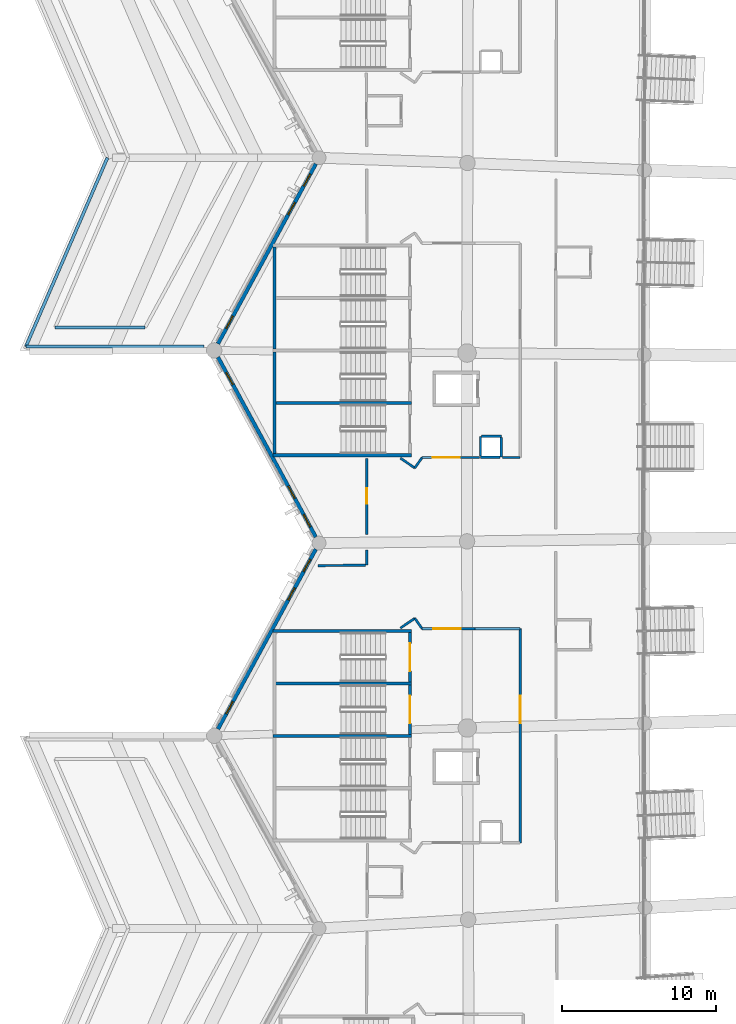
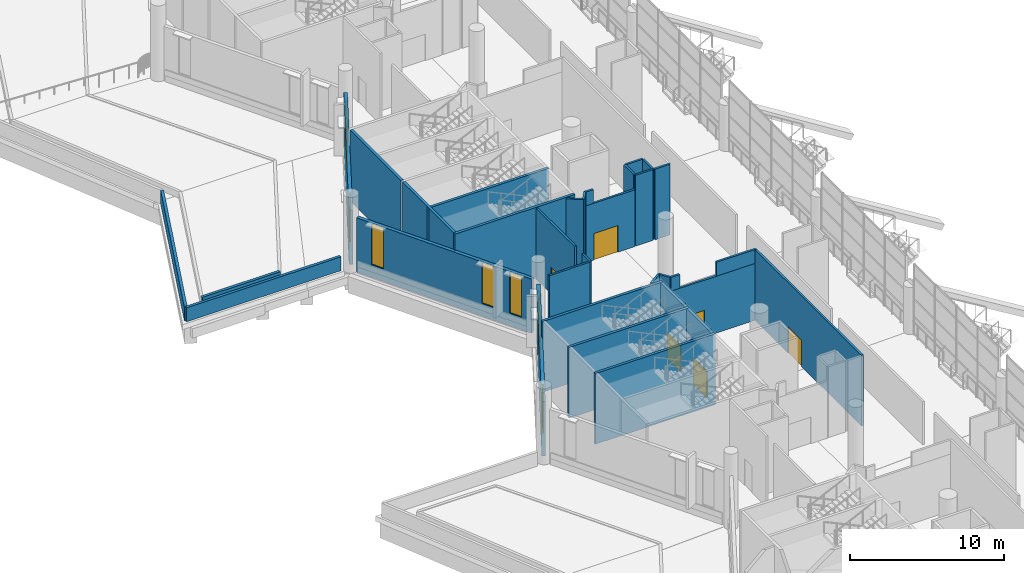
# One storey, part 49 of 173: 33 walls, 9 windows, 6 doors, 15 openings.
"""IFC4 building model written with IfcOpenShell, lengths in metres."""

from ifc_helpers import new_model, si_unit, direction, frame, frame_2d, origin, place, context, subcontext, project, spatial, rectangle, extrude, material, layer, layer_set, type_object, element, fill, save


model = new_model("IFC4")

# Units and contexts
model_context = context("Model", 3, precision=1e-05, world=origin(), true_north=direction((0.0, 1.0)))
body_context = subcontext(model_context, "Body", "Model", "MODEL_VIEW")
ifc_project = project(units=[si_unit("LENGTHUNIT", "METRE"), si_unit("AREAUNIT", "SQUARE_METRE"), si_unit("VOLUMEUNIT", "CUBIC_METRE"), si_unit("PLANEANGLEUNIT", "RADIAN"), si_unit("MASSUNIT", "GRAM", prefix="KILO")], contexts=[model_context])

# Site, building, storey
site_placement = place(None, origin())
site = spatial("IfcSite", under=ifc_project, at=site_placement, CompositionType="ELEMENT")
building_placement = place(site_placement, origin())
building = spatial("IfcBuilding", under=site, at=building_placement, Name="Meseta Stadium", CompositionType="ELEMENT")
storey_placement = place(building_placement, frame((0.0, 0.0, 18.0)))
storey = spatial("IfcBuildingStorey", under=building, at=storey_placement, Name="L03", CompositionType="ELEMENT", Elevation=18.0)

# Walls
ifc_material_1 = material(Name="Concrete C40/50", Category="concrete")
ifc_layer_1 = layer(ifc_material_1, 0.199951171875)
ifc_layer_set_1 = layer_set([ifc_layer_1], Name="Core divider wall 200")
wall_type_1 = type_object("IfcWallType", Name="Core divider wall 200", PredefinedType="SHEAR", material=ifc_layer_set_1)
for number, where, z_axis, x_axis, name in (
    (1, (-97.60009765625, 2.85009765625, 0.0), (0.0, 0.0, 1.0), (1.0, 0.0, 0.0), "Core 17 L03 stair B divider wall"),
    (2, (-97.60009765625, -15.35009765625, 0.0), (0.0, 0.0, 1.0), (1.0, 0.0, 0.0), "Core 18 L03 stair A divider wall"),
):
    element("IfcWall", number, at=place(storey_placement, frame(where, z_axis=z_axis, x_axis=x_axis)), inside=storey, type_object=wall_type_1, Name=name, PredefinedType="SHEAR", context=body_context, shape_type="SweptSolid", body=[
        extrude(rectangle(XDim=9.0, YDim=0.199951171875, at=frame_2d((4.5, 0.0))), origin(), (0.0, 0.0, 1.0), 5.60009765625),
    ])
ifc_material_2 = material(Name="Concrete C40/50", Category="concrete")
ifc_layer_2 = layer(ifc_material_2, 0.199951171875)
ifc_layer_set_2 = layer_set([ifc_layer_2], Name="Core shaft wall 200")
wall_type_2 = type_object("IfcWallType", Name="Core shaft wall 200", PredefinedType="SHEAR", material=ifc_layer_set_2)
wall_1_placement = place(storey_placement, frame((-97.60009765625, -0.550048828125, 0.0), z_axis=(0.0, 0.0, 1.0), x_axis=(1.0, 0.0, 0.0)))
element("IfcWall", 3, at=wall_1_placement, inside=storey, type_object=wall_type_2, Name="Core 17 L03 stair wall B-side", PredefinedType="SHEAR", context=body_context, shape_type="SweptSolid", body=[
    extrude(rectangle(XDim=9.0, YDim=0.199951171875, at=frame_2d((4.5, 0.0))), origin(), (0.0, 0.0, 1.0), 5.60009765625),
])
for number, where, z_axis, x_axis, name in (
    (4, (-97.5, 12.949951171875, 0.0), (0.0, 0.0, 1.0), (0.0, -1.0, 0.0), "Core 17 L03 stair A outer end wall"),
    (5, (-97.5, 6.14990234375, 0.0), (0.0, 0.0, 1.0), (0.0, -1.0, 0.0), "Core 17 L03 stair B outer end wall"),
):
    element("IfcWall", number, at=place(storey_placement, frame(where, z_axis=z_axis, x_axis=x_axis)), inside=storey, type_object=wall_type_2, Name=name, PredefinedType="SHEAR", context=body_context, shape_type="SweptSolid", body=[
        extrude(rectangle(XDim=6.599853515625, YDim=0.199951171875, at=frame_2d((3.2998046875, 0.0))), origin(), (0.0, 0.0, 1.0), 5.60009765625),
    ])
for number, where, z_axis, x_axis, name in (
    (6, (-97.60009765625, -11.949951171875, 0.0), (0.0, 0.0, 1.0), (1.0, 0.0, 0.0), "Core 18 L03 stair wall A-side"),
    (7, (-97.60009765625, -18.75, 0.0), (0.0, 0.0, 1.0), (1.0, 0.0, 0.0), "Core 18 L03 stair wall shared"),
):
    element("IfcWall", number, at=place(storey_placement, frame(where, z_axis=z_axis, x_axis=x_axis)), inside=storey, type_object=wall_type_2, Name=name, PredefinedType="SHEAR", context=body_context, shape_type="SweptSolid", body=[
        extrude(rectangle(XDim=9.0, YDim=0.199951171875, at=frame_2d((4.5, 0.0))), origin(), (0.0, 0.0, 1.0), 5.60009765625),
    ])

# Wall, opening, door
wall_2_placement = place(storey_placement, frame((-88.699951171875, -12.050048828125, 0.0), z_axis=(0.0, 0.0, 1.0), x_axis=(0.0, -1.0, 0.0)))
wall_2 = element("IfcWall", 8, at=wall_2_placement, inside=storey, type_object=wall_type_2, Name="Core 18 L03 stair A1 inner end wall", PredefinedType="SHEAR", context=body_context, shape_type="SweptSolid", body=[
    extrude(rectangle(XDim=3.199951171875, YDim=0.199951171875, at=frame_2d((1.60009765625, 0.0))), origin(), (0.0, 0.0, 1.0), 5.60009765625),
])
opening_1_placement = place(wall_2_placement, frame((0.699951171875, 0.0, 0.0)))
opening_1 = element("IfcOpeningElement", 9, at=opening_1_placement, cuts=wall_2, Name="Opening D1282", PredefinedType="OPENING", context=body_context, shape_type="SweptSolid", body=[
    extrude(rectangle(XDim=1.800048828125, YDim=2.10009765625, at=frame_2d((0.89990234375, 1.050048828125))), frame((0.0, 0.10986328125, 0.0), z_axis=(0.0, -1.0, 0.0), x_axis=(1.0, 0.0, 0.0)), (0.0, 0.0, 1.0), 0.219970703125),
])
ifc_material_3 = material(Name="Steel", Category="steel")
door_type_1 = type_object("IfcDoorType", Name="Stair door 1800x2100", OperationType="DOUBLE_DOOR_SINGLE_SWING", PredefinedType="DOOR", material=ifc_material_3)
door_1_placement = place(opening_1_placement, origin())
door_1 = element("IfcDoor", 10, at=door_1_placement, inside=storey, type_object=door_type_1, Name="Stair A1 door 18 L03", OperationType="DOUBLE_DOOR_SINGLE_SWING", OverallHeight=2.10009765625, OverallWidth=1.800048828125, PredefinedType="DOOR", context=body_context, shape_type="SweptSolid", body=[
    extrude(rectangle(XDim=1.800048828125, YDim=2.10009765625, at=frame_2d((0.89990234375, 1.050048828125))), frame((0.0, 0.02490234375, 0.0), z_axis=(0.0, -1.0, 0.0), x_axis=(1.0, 0.0, 0.0)), (0.0, 0.0, 1.0), 0.050048828125),
])
fill(opening_1, door_1)

wall_3_placement = place(storey_placement, frame((-88.699951171875, -15.449951171875, 0.0), z_axis=(0.0, 0.0, 1.0), x_axis=(0.0, -1.0, 0.0)))
wall_3 = element("IfcWall", 11, at=wall_3_placement, inside=storey, type_object=wall_type_2, Name="Core 18 L03 stair A2 inner end wall", PredefinedType="SHEAR", context=body_context, shape_type="SweptSolid", body=[
    extrude(rectangle(XDim=3.199951171875, YDim=0.199951171875, at=frame_2d((1.60009765625, 0.0))), origin(), (0.0, 0.0, 1.0), 5.60009765625),
])
opening_2_placement = place(wall_3_placement, frame((0.699951171875, 0.0, 0.0)))
opening_2 = element("IfcOpeningElement", 12, at=opening_2_placement, cuts=wall_3, Name="Opening D1281", PredefinedType="OPENING", context=body_context, shape_type="SweptSolid", body=[
    extrude(rectangle(XDim=1.800048828125, YDim=2.10009765625, at=frame_2d((0.89990234375, 1.050048828125))), frame((0.0, 0.10986328125, 0.0), z_axis=(0.0, -1.0, 0.0), x_axis=(1.0, 0.0, 0.0)), (0.0, 0.0, 1.0), 0.219970703125),
])
door_2_placement = place(opening_2_placement, origin())
door_2 = element("IfcDoor", 13, at=door_2_placement, inside=storey, type_object=door_type_1, Name="Stair A2 door 18 L03", OperationType="DOUBLE_DOOR_SINGLE_SWING", OverallHeight=2.10009765625, OverallWidth=1.800048828125, PredefinedType="DOOR", context=body_context, shape_type="SweptSolid", body=[
    extrude(rectangle(XDim=1.800048828125, YDim=2.10009765625, at=frame_2d((0.89990234375, 1.050048828125))), frame((0.0, 0.02490234375, 0.0), z_axis=(0.0, -1.0, 0.0), x_axis=(1.0, 0.0, 0.0)), (0.0, 0.0, 1.0), 0.050048828125),
])
fill(opening_2, door_2)

ifc_material_4 = material(Name="Masonry blockwork", Category="masonry")
ifc_layer_3 = layer(ifc_material_4, 0.14990234375)
ifc_layer_set_3 = layer_set([ifc_layer_3], Name="Partition 150")
wall_type_3 = type_object("IfcWallType", Name="Partition 150", PredefinedType="PARTITIONING", material=ifc_layer_set_3)
wall_4_placement = place(storey_placement, frame((-91.51171875, -0.75, 0.0), z_axis=(0.0, 0.0, 1.0), x_axis=(0.000937252943, -0.999999560778, 0.0)))
wall_4 = element("IfcWall", 14, at=wall_4_placement, inside=storey, type_object=wall_type_3, Name="Partition L03 L03-cell16-2-0w", PredefinedType="PARTITIONING", context=body_context, shape_type="SweptSolid", body=[
    extrude(rectangle(XDim=4.94921875, YDim=0.14990234375, at=frame_2d((2.474609375, 0.0))), origin(), (0.0, 0.0, 1.0), 5.60009765625),
])
opening_3_placement = place(wall_4_placement, frame((1.949951171875, 0.0, 0.0)))
opening_3 = element("IfcOpeningElement", 15, at=opening_3_placement, cuts=wall_4, Name="Opening D1275", PredefinedType="OPENING", context=body_context, shape_type="SweptSolid", body=[
    extrude(rectangle(XDim=1.0, YDim=2.10009765625, at=frame_2d((0.5, 1.050048828125))), frame((0.0, 0.0849609375, 0.0), z_axis=(0.0, -1.0, 0.0), x_axis=(1.0, 0.0, 0.0)), (0.0, 0.0, 1.0), 0.169921875),
])
ifc_material_5 = material(Name="Timber", Category="wood")
door_type_2 = type_object("IfcDoorType", Name="Room door 1000x2100", OperationType="NOTDEFINED", PredefinedType="DOOR", material=ifc_material_5)
door_3_placement = place(opening_3_placement, origin())
door_3 = element("IfcDoor", 16, at=door_3_placement, inside=storey, type_object=door_type_2, Name="Room door L03 L03-cell16-2-0w", OperationType="SINGLE_SWING_LEFT", OverallHeight=2.10009765625, OverallWidth=1.0, PredefinedType="DOOR", context=body_context, shape_type="SweptSolid", body=[
    extrude(rectangle(XDim=1.0, YDim=2.10009765625, at=frame_2d((0.5, 1.050048828125))), frame((0.0, 0.02490234375, 0.0), z_axis=(0.0, -1.0, 0.0), x_axis=(1.0, 0.0, 0.0)), (0.0, 0.0, 1.0), 0.050048828125),
])
fill(opening_3, door_3)

# Walls
wall_5_placement = place(storey_placement, frame((-91.506103515625, -6.68896484375, 0.0), z_axis=(0.0, 0.0, 1.0), x_axis=(0.000986436018, -0.999999513472, 0.0)))
element("IfcWall", 17, at=wall_5_placement, inside=storey, type_object=wall_type_3, Name="Partition L03 L03-cell16-2-0w", PredefinedType="PARTITIONING", context=body_context, shape_type="SweptSolid", body=[
    extrude(rectangle(XDim=0.989990234375, YDim=0.14990234375, at=frame_2d((0.4951171875, 0.0))), origin(), (0.0, 0.0, 1.0), 5.60009765625),
])
wall_6_placement = place(storey_placement, frame((-91.580078125, -7.6796875, 0.0), z_axis=(0.0, 0.0, 1.0), x_axis=(-0.999940293703, -0.010927443818, 0.0)))
element("IfcWall", 18, at=wall_6_placement, inside=storey, type_object=wall_type_3, Name="Partition L03 L03-cell16-2-0w", PredefinedType="PARTITIONING", context=body_context, shape_type="SweptSolid", body=[
    extrude(rectangle(XDim=3.083251953125, YDim=0.14990234375, at=frame_2d((1.54150390625, 0.0))), origin(), (0.0, 0.0, 1.0), 5.60009765625),
])
wall_7_placement = place(storey_placement, frame((-84.125, 0.675048828125, 0.0), z_axis=(0.0, 0.0, 1.0), x_axis=(0.0, -1.0, 0.0)))
element("IfcWall", 19, at=wall_7_placement, inside=storey, type_object=wall_type_3, Name="Pressurisation shaft wall L03 core 17", PredefinedType="PARTITIONING", context=body_context, shape_type="SweptSolid", body=[
    extrude(rectangle(XDim=1.275146484375, YDim=0.14990234375, at=frame_2d((0.6376953125, 0.0))), origin(), (0.0, 0.0, 1.0), 5.60009765625),
])
wall_8_placement = place(storey_placement, frame((-84.125, -0.675048828125, 0.0), z_axis=(0.0, 0.0, 1.0), x_axis=(1.0, 0.0, 0.0)))
element("IfcWall", 20, at=wall_8_placement, inside=storey, type_object=wall_type_3, Name="Pressurisation shaft wall L03 core 17", PredefinedType="PARTITIONING", context=body_context, shape_type="SweptSolid", body=[
    extrude(rectangle(XDim=1.27490234375, YDim=0.14990234375, at=frame_2d((0.637451171875, 0.0))), origin(), (0.0, 0.0, 1.0), 5.60009765625),
])
for number, where, z_axis, x_axis, name in (
    (21, (-82.77490234375, -0.675048828125, 0.0), (0.0, 0.0, 1.0), (0.0, 1.0, 0.0), "Pressurisation shaft wall L03 core 17"),
    (22, (-82.77490234375, 0.675048828125, 0.0), (0.0, 0.0, 1.0), (-1.0, 0.0, 0.0), "Pressurisation shaft wall L03 core 17"),
):
    element("IfcWall", number, at=place(storey_placement, frame(where, z_axis=z_axis, x_axis=x_axis)), inside=storey, type_object=wall_type_3, Name=name, PredefinedType="PARTITIONING", context=body_context, shape_type="SweptSolid", body=[
        extrude(rectangle(XDim=1.275146484375, YDim=0.14990234375, at=frame_2d((0.6376953125, 0.0))), origin(), (0.0, 0.0, 1.0), 5.60009765625),
    ])
wall_9_placement = place(storey_placement, frame((-89.31982421875, -0.739501953125, 0.0), z_axis=(0.0, 0.0, 1.0), x_axis=(0.826749248939, -0.562570599462, 0.0)))
element("IfcWall", 23, at=wall_9_placement, inside=storey, type_object=wall_type_3, Name="Stair vestibule wall L03 core 17", PredefinedType="PARTITIONING", context=body_context, shape_type="SweptSolid", body=[
    extrude(rectangle(XDim=1.12744140625, YDim=0.14990234375, at=frame_2d((0.563720703125, 0.0))), origin(), (0.0, 0.0, 1.0), 5.60009765625),
])
wall_10_placement = place(storey_placement, frame((-88.3876953125, -1.373779296875, 0.0), z_axis=(0.0, 0.0, 1.0), x_axis=(0.5761634622, 0.817334487726, 0.0)))
element("IfcWall", 24, at=wall_10_placement, inside=storey, type_object=wall_type_3, Name="Stair vestibule wall L03 core 17", PredefinedType="PARTITIONING", context=body_context, shape_type="SweptSolid", body=[
    extrude(rectangle(XDim=0.830078125, YDim=0.14990234375, at=frame_2d((0.4150390625, 0.0))), origin(), (0.0, 0.0, 1.0), 5.60009765625),
])

# Wall, opening, door
wall_11_placement = place(storey_placement, frame((-87.909423828125, -0.6953125, 0.0), z_axis=(0.0, 0.0, 1.0), x_axis=(0.999999997827, 6.5919578e-05, 0.0)))
wall_11 = element("IfcWall", 25, at=wall_11_placement, inside=storey, type_object=wall_type_3, Name="Stair vestibule wall L03 core 17", PredefinedType="PARTITIONING", context=body_context, shape_type="SweptSolid", body=[
    extrude(rectangle(XDim=3.70361328125, YDim=0.14990234375, at=frame_2d((1.851806640625, 0.0))), origin(), (0.0, 0.0, 1.0), 4.5),
])
opening_4_placement = place(wall_11_placement, frame((0.64990234375, 0.0, 0.0)))
opening_4 = element("IfcOpeningElement", 26, at=opening_4_placement, cuts=wall_11, Name="Opening D1300", PredefinedType="OPENING", context=body_context, shape_type="SweptSolid", body=[
    extrude(rectangle(XDim=1.800048828125, YDim=2.10009765625, at=frame_2d((0.89990234375, 1.050048828125))), frame((0.0, 0.0849609375, 0.0), z_axis=(0.0, -1.0, 0.0), x_axis=(1.0, 0.0, 0.0)), (0.0, 0.0, 1.0), 0.169921875),
])
ifc_material_6 = material(Name="Steel", Category="steel")
door_type_3 = type_object("IfcDoorType", Name="Fire double door 1800x2100 EI2 60", OperationType="DOUBLE_DOOR_SINGLE_SWING", PredefinedType="DOOR", material=ifc_material_6)
door_4_placement = place(opening_4_placement, origin())
door_4 = element("IfcDoor", 27, at=door_4_placement, inside=storey, type_object=door_type_3, Name="Stair vestibule door L03 core 17", OperationType="DOUBLE_DOOR_SINGLE_SWING", OverallHeight=2.10009765625, OverallWidth=1.800048828125, PredefinedType="DOOR", context=body_context, shape_type="SweptSolid", body=[
    extrude(rectangle(XDim=1.800048828125, YDim=2.10009765625, at=frame_2d((0.89990234375, 1.050048828125))), frame((0.0, 0.02490234375, 0.0), z_axis=(0.0, -1.0, 0.0), x_axis=(1.0, 0.0, 0.0)), (0.0, 0.0, 1.0), 0.050048828125),
])
fill(opening_4, door_4)

# Walls
wall_12_placement = place(storey_placement, frame((-87.909423828125, -0.6953125, 4.5), z_axis=(0.0, 0.0, 1.0), x_axis=(1.0, 0.0, 0.0)))
element("IfcWall", 28, at=wall_12_placement, inside=storey, type_object=wall_type_3, Name="Stair vestibule wall L03 core 17", PredefinedType="PARTITIONING", context=body_context, shape_type="SweptSolid", body=[
    extrude(rectangle(XDim=0.599853515625, YDim=0.14990234375, at=frame_2d((0.2998046875, 0.0))), origin(), (0.0, 0.0, 1.0), 1.10009765625),
])
wall_13_placement = place(storey_placement, frame((-82.68994140625, -0.695068359375, 0.0), z_axis=(0.0, 0.0, 1.0), x_axis=(1.0, 0.0, 0.0)))
element("IfcWall", 29, at=wall_13_placement, inside=storey, type_object=wall_type_3, Name="Stair vestibule wall L03 core 17", PredefinedType="PARTITIONING", context=body_context, shape_type="SweptSolid", body=[
    extrude(rectangle(XDim=1.135009765625, YDim=0.14990234375, at=frame_2d((0.5673828125, 0.0))), origin(), (0.0, 0.0, 1.0), 5.60009765625),
])

# Wall, opening, door
wall_14_placement = place(storey_placement, frame((-81.554931640625, -25.695068359375, 0.0), z_axis=(0.0, 0.0, 1.0), x_axis=(0.0, 1.0, 0.0)))
wall_14 = element("IfcWall", 30, at=wall_14_placement, inside=storey, type_object=wall_type_3, Name="Stair vestibule wall L03 core 18", PredefinedType="PARTITIONING", context=body_context, shape_type="SweptSolid", body=[
    extrude(rectangle(XDim=13.89013671875, YDim=0.14990234375, at=frame_2d((6.945068359375, 0.0))), origin(), (0.0, 0.0, 1.0), 5.60009765625),
])
opening_5_placement = place(wall_14_placement, frame((7.75, 0.0, 0.0)))
opening_5 = element("IfcOpeningElement", 31, at=opening_5_placement, cuts=wall_14, Name="Opening D1317", PredefinedType="OPENING", context=body_context, shape_type="SweptSolid", body=[
    extrude(rectangle(XDim=1.800048828125, YDim=2.10009765625, at=frame_2d((0.89990234375, 1.050048828125))), frame((0.0, 0.0849609375, 0.0), z_axis=(0.0, -1.0, 0.0), x_axis=(1.0, 0.0, 0.0)), (0.0, 0.0, 1.0), 0.169921875),
])
door_5_placement = place(opening_5_placement, origin())
door_5 = element("IfcDoor", 32, at=door_5_placement, inside=storey, type_object=door_type_3, Name="Stair vestibule door L03 core 18", OperationType="DOUBLE_DOOR_SINGLE_SWING", OverallHeight=2.10009765625, OverallWidth=1.800048828125, PredefinedType="DOOR", context=body_context, shape_type="SweptSolid", body=[
    extrude(rectangle(XDim=1.800048828125, YDim=2.10009765625, at=frame_2d((0.89990234375, 1.050048828125))), frame((0.0, 0.02490234375, 0.0), z_axis=(0.0, -1.0, 0.0), x_axis=(1.0, 0.0, 0.0)), (0.0, 0.0, 1.0), 0.050048828125),
])
fill(opening_5, door_5)

wall_15_placement = place(storey_placement, frame((-81.554931640625, -11.804931640625, 0.0), z_axis=(0.0, 0.0, 1.0), x_axis=(-1.0, 0.0, 0.0)))
wall_15 = element("IfcWall", 33, at=wall_15_placement, inside=storey, type_object=wall_type_3, Name="Stair vestibule wall L03 core 18", PredefinedType="PARTITIONING", context=body_context, shape_type="SweptSolid", body=[
    extrude(rectangle(XDim=6.354248046875, YDim=0.14990234375, at=frame_2d((3.17724609375, 0.0))), origin(), (0.0, 0.0, 1.0), 4.5),
])
opening_6_placement = place(wall_15_placement, frame((3.85009765625, 0.0, 0.0)))
opening_6 = element("IfcOpeningElement", 34, at=opening_6_placement, cuts=wall_15, Name="Opening D1303", PredefinedType="OPENING", context=body_context, shape_type="SweptSolid", body=[
    extrude(rectangle(XDim=1.800048828125, YDim=2.10009765625, at=frame_2d((0.89990234375, 1.050048828125))), frame((0.0, 0.0849609375, 0.0), z_axis=(0.0, -1.0, 0.0), x_axis=(1.0, 0.0, 0.0)), (0.0, 0.0, 1.0), 0.169921875),
])
door_6_placement = place(opening_6_placement, origin())
door_6 = element("IfcDoor", 35, at=door_6_placement, inside=storey, type_object=door_type_3, Name="Stair vestibule door L03 core 18", OperationType="DOUBLE_DOOR_SINGLE_SWING", OverallHeight=2.10009765625, OverallWidth=1.800048828125, PredefinedType="DOOR", context=body_context, shape_type="SweptSolid", body=[
    extrude(rectangle(XDim=1.800048828125, YDim=2.10009765625, at=frame_2d((0.89990234375, 1.050048828125))), frame((0.0, 0.02490234375, 0.0), z_axis=(0.0, -1.0, 0.0), x_axis=(1.0, 0.0, 0.0)), (0.0, 0.0, 1.0), 0.050048828125),
])
fill(opening_6, door_6)

# Walls
wall_16_placement = place(storey_placement, frame((-81.554931640625, -11.804931640625, 4.5), z_axis=(0.0, 0.0, 1.0), x_axis=(-1.0, 0.0, 0.0)))
element("IfcWall", 36, at=wall_16_placement, inside=storey, type_object=wall_type_3, Name="Stair vestibule wall L03 core 18", PredefinedType="PARTITIONING", context=body_context, shape_type="SweptSolid", body=[
    extrude(rectangle(XDim=2.932861328125, YDim=0.14990234375, at=frame_2d((1.46630859375, 0.0))), origin(), (0.0, 0.0, 1.0), 1.10009765625),
])
wall_17_placement = place(storey_placement, frame((-87.2548828125, -11.804931640625, 4.5), z_axis=(0.0, 0.0, 1.0), x_axis=(-1.0, 0.0, 0.0)))
element("IfcWall", 37, at=wall_17_placement, inside=storey, type_object=wall_type_3, Name="Stair vestibule wall L03 core 18", PredefinedType="PARTITIONING", context=body_context, shape_type="SweptSolid", body=[
    extrude(rectangle(XDim=0.654296875, YDim=0.14990234375, at=frame_2d((0.3271484375, 0.0))), origin(), (0.0, 0.0, 1.0), 1.10009765625),
])
wall_18_placement = place(storey_placement, frame((-87.9091796875, -11.804931640625, 0.0), z_axis=(0.0, 0.0, 1.0), x_axis=(-0.575573582652, 0.81774999294, 0.0)))
element("IfcWall", 38, at=wall_18_placement, inside=storey, type_object=wall_type_3, Name="Stair vestibule wall L03 core 18", PredefinedType="PARTITIONING", context=body_context, shape_type="SweptSolid", body=[
    extrude(rectangle(XDim=0.82958984375, YDim=0.14990234375, at=frame_2d((0.414794921875, 0.0))), origin(), (0.0, 0.0, 1.0), 5.60009765625),
])
wall_19_placement = place(storey_placement, frame((-88.38671875, -11.12646484375, 0.0), z_axis=(0.0, 0.0, 1.0), x_axis=(-0.827055308354, -0.562120553728, 0.0)))
element("IfcWall", 39, at=wall_19_placement, inside=storey, type_object=wall_type_3, Name="Stair vestibule wall L03 core 18", PredefinedType="PARTITIONING", context=body_context, shape_type="SweptSolid", body=[
    extrude(rectangle(XDim=1.1279296875, YDim=0.14990234375, at=frame_2d((0.56396484375, 0.0))), origin(), (0.0, 0.0, 1.0), 5.60009765625),
])
ifc_material_7 = material(Name="Precast concrete C40/50", Category="concrete")
ifc_layer_4 = layer(ifc_material_7, 0.199951171875)
ifc_layer_set_4 = layer_set([ifc_layer_4], Name="Planter kerb 200")
wall_type_4 = type_object("IfcWallType", Name="Planter kerb 200", PredefinedType="USERDEFINED", material=ifc_layer_set_4)
wall_20_placement = place(storey_placement, frame((-105.87744140625, 7.75, 0.0), z_axis=(0.0, 0.0, 1.0), x_axis=(-1.0, 0.0, 0.0)))
element("IfcWall", 40, at=wall_20_placement, inside=storey, type_object=wall_type_4, Name="Planter kerb 4.1.11", ObjectType="PLANTER", PredefinedType="USERDEFINED", context=body_context, shape_type="SweptSolid", body=[
    extrude(rectangle(XDim=5.840576171875, YDim=0.199951171875, at=frame_2d((2.92041015625, 0.0))), origin(), (0.0, 0.0, 1.0), 0.5),
])

# Wall, openings, windows
ifc_material_8 = material(Name="White precast concrete C40/50", Category="concrete")
ifc_layer_5 = layer(ifc_material_8, 0.25)
ifc_layer_set_5 = layer_set([ifc_layer_5], Name="Pleated panel wall 250")
wall_type_5 = type_object("IfcWallType", Name="Pleated panel wall 250", PredefinedType="SOLIDWALL", material=ifc_layer_set_5)
wall_21_placement = place(storey_placement, frame((-101.1611328125, 6.68896484375, 0.0), z_axis=(0.0, 0.0, 1.0), x_axis=(0.477867771117, 0.878431780691, 0.0)))
wall_21 = element("IfcWall", 41, at=wall_21_placement, inside=storey, type_object=wall_type_5, Name="Pleated facade panel L03 F31", PredefinedType="SOLIDWALL", context=body_context, shape_type="SweptSolid", body=[
    extrude(rectangle(XDim=13.2802734375, YDim=0.25, at=frame_2d((6.64013671875, 0.0))), origin(), (0.0, 0.0, 1.0), 4.300048828125),
])
opening_7_placement = place(wall_21_placement, frame((11.630126953125, 0.0, 1.0)))
opening_7 = element("IfcOpeningElement", 42, at=opening_7_placement, cuts=wall_21, Name="Opening W066", PredefinedType="OPENING", context=body_context, shape_type="SweptSolid", body=[
    extrude(rectangle(XDim=0.89990234375, YDim=3.25, at=frame_2d((0.449951171875, 1.625))), frame((0.0, 0.135009765625, 0.0), z_axis=(0.0, -1.0, 0.0), x_axis=(1.0, 0.0, 0.0)), (0.0, 0.0, 1.0), 0.27001953125),
])
opening_8_placement = place(wall_21_placement, frame((9.530029296875, 0.0, 1.0)))
opening_8 = element("IfcOpeningElement", 43, at=opening_8_placement, cuts=wall_21, Name="Opening W059", PredefinedType="OPENING", context=body_context, shape_type="SweptSolid", body=[
    extrude(rectangle(XDim=0.89990234375, YDim=3.25, at=frame_2d((0.449951171875, 1.625))), frame((0.0, 0.135009765625, 0.0), z_axis=(0.0, -1.0, 0.0), x_axis=(1.0, 0.0, 0.0)), (0.0, 0.0, 1.0), 0.27001953125),
])
opening_9_placement = place(wall_21_placement, frame((1.130126953125, 0.0, 1.0)))
opening_9 = element("IfcOpeningElement", 44, at=opening_9_placement, cuts=wall_21, Name="Opening W049", PredefinedType="OPENING", context=body_context, shape_type="SweptSolid", body=[
    extrude(rectangle(XDim=0.89990234375, YDim=3.25, at=frame_2d((0.449951171875, 1.625))), frame((0.0, 0.135009765625, 0.0), z_axis=(0.0, -1.0, 0.0), x_axis=(1.0, 0.0, 0.0)), (0.0, 0.0, 1.0), 0.27001953125),
])
ifc_material_9 = material(Name="Aluminium", Category="aluminium")
window_type = type_object("IfcWindowType", Name="Slot window 900x3250", PartitioningType="SINGLE_PANEL", PredefinedType="WINDOW", material=ifc_material_9)
window_1_placement = place(opening_7_placement, origin())
window_1 = element("IfcWindow", 45, at=window_1_placement, inside=storey, type_object=window_type, Name="Slot window L03 F31.1", OverallHeight=3.25, OverallWidth=0.89990234375, PartitioningType="SINGLE_PANEL", PredefinedType="WINDOW", context=body_context, shape_type="SweptSolid", body=[
    extrude(rectangle(XDim=0.89990234375, YDim=3.25, at=frame_2d((0.449951171875, 1.625))), frame((0.0, 0.030029296875, 0.0), z_axis=(0.0, -1.0, 0.0), x_axis=(1.0, 0.0, 0.0)), (0.0, 0.0, 1.0), 0.06005859375),
])
fill(opening_7, window_1)
window_2_placement = place(opening_8_placement, origin())
window_2 = element("IfcWindow", 46, at=window_2_placement, inside=storey, type_object=window_type, Name="Slot window L03 F31.2", OverallHeight=3.25, OverallWidth=0.89990234375, PartitioningType="SINGLE_PANEL", PredefinedType="WINDOW", context=body_context, shape_type="SweptSolid", body=[
    extrude(rectangle(XDim=0.89990234375, YDim=3.25, at=frame_2d((0.449951171875, 1.625))), frame((0.0, 0.030029296875, 0.0), z_axis=(0.0, -1.0, 0.0), x_axis=(1.0, 0.0, 0.0)), (0.0, 0.0, 1.0), 0.06005859375),
])
fill(opening_8, window_2)
window_3_placement = place(opening_9_placement, origin())
window_3 = element("IfcWindow", 47, at=window_3_placement, inside=storey, type_object=window_type, Name="Slot window L03 F31.6", OverallHeight=3.25, OverallWidth=0.89990234375, PartitioningType="SINGLE_PANEL", PredefinedType="WINDOW", context=body_context, shape_type="SweptSolid", body=[
    extrude(rectangle(XDim=0.89990234375, YDim=3.25, at=frame_2d((0.449951171875, 1.625))), frame((0.0, 0.030029296875, 0.0), z_axis=(0.0, -1.0, 0.0), x_axis=(1.0, 0.0, 0.0)), (0.0, 0.0, 1.0), 0.06005859375),
])
fill(opening_9, window_3)

wall_22_placement = place(storey_placement, frame((-94.81494140625, -5.854736328125, 0.0), z_axis=(0.0, 0.0, 1.0), x_axis=(-0.477867771117, 0.878431780691, 0.0)))
wall_22 = element("IfcWall", 48, at=wall_22_placement, inside=storey, type_object=wall_type_5, Name="Pleated facade panel L03 F32", PredefinedType="SOLIDWALL", context=body_context, shape_type="SweptSolid", body=[
    extrude(rectangle(XDim=13.2802734375, YDim=0.25, at=frame_2d((6.64013671875, 0.0))), origin(), (0.0, 0.0, 1.0), 4.300048828125),
])
opening_10_placement = place(wall_22_placement, frame((0.750244140625, 0.0, 1.0)))
opening_10 = element("IfcOpeningElement", 49, at=opening_10_placement, cuts=wall_22, Name="Opening W065", PredefinedType="OPENING", context=body_context, shape_type="SweptSolid", body=[
    extrude(rectangle(XDim=0.89990234375, YDim=3.25, at=frame_2d((0.449951171875, 1.625))), frame((0.0, 0.135009765625, 0.0), z_axis=(0.0, -1.0, 0.0), x_axis=(1.0, 0.0, 0.0)), (0.0, 0.0, 1.0), 0.27001953125),
])
opening_11_placement = place(wall_22_placement, frame((2.85009765625, 0.0, 1.0)))
opening_11 = element("IfcOpeningElement", 50, at=opening_11_placement, cuts=wall_22, Name="Opening W058", PredefinedType="OPENING", context=body_context, shape_type="SweptSolid", body=[
    extrude(rectangle(XDim=0.89990234375, YDim=3.25, at=frame_2d((0.449951171875, 1.625))), frame((0.0, 0.135009765625, 0.0), z_axis=(0.0, -1.0, 0.0), x_axis=(1.0, 0.0, 0.0)), (0.0, 0.0, 1.0), 0.27001953125),
])
opening_12_placement = place(wall_22_placement, frame((11.250244140625, 0.0, 1.0)))
opening_12 = element("IfcOpeningElement", 51, at=opening_12_placement, cuts=wall_22, Name="Opening W048", PredefinedType="OPENING", context=body_context, shape_type="SweptSolid", body=[
    extrude(rectangle(XDim=0.89990234375, YDim=3.25, at=frame_2d((0.449951171875, 1.625))), frame((0.0, 0.135009765625, 0.0), z_axis=(0.0, -1.0, 0.0), x_axis=(1.0, 0.0, 0.0)), (0.0, 0.0, 1.0), 0.27001953125),
])
window_4_placement = place(opening_10_placement, origin())
window_4 = element("IfcWindow", 52, at=window_4_placement, inside=storey, type_object=window_type, Name="Slot window L03 F32.1", OverallHeight=3.25, OverallWidth=0.89990234375, PartitioningType="SINGLE_PANEL", PredefinedType="WINDOW", context=body_context, shape_type="SweptSolid", body=[
    extrude(rectangle(XDim=0.89990234375, YDim=3.25, at=frame_2d((0.449951171875, 1.625))), frame((0.0, 0.030029296875, 0.0), z_axis=(0.0, -1.0, 0.0), x_axis=(1.0, 0.0, 0.0)), (0.0, 0.0, 1.0), 0.06005859375),
])
fill(opening_10, window_4)
window_5_placement = place(opening_11_placement, origin())
window_5 = element("IfcWindow", 53, at=window_5_placement, inside=storey, type_object=window_type, Name="Slot window L03 F32.2", OverallHeight=3.25, OverallWidth=0.89990234375, PartitioningType="SINGLE_PANEL", PredefinedType="WINDOW", context=body_context, shape_type="SweptSolid", body=[
    extrude(rectangle(XDim=0.89990234375, YDim=3.25, at=frame_2d((0.449951171875, 1.625))), frame((0.0, 0.030029296875, 0.0), z_axis=(0.0, -1.0, 0.0), x_axis=(1.0, 0.0, 0.0)), (0.0, 0.0, 1.0), 0.06005859375),
])
fill(opening_11, window_5)
window_6_placement = place(opening_12_placement, origin())
window_6 = element("IfcWindow", 54, at=window_6_placement, inside=storey, type_object=window_type, Name="Slot window L03 F32.6", OverallHeight=3.25, OverallWidth=0.89990234375, PartitioningType="SINGLE_PANEL", PredefinedType="WINDOW", context=body_context, shape_type="SweptSolid", body=[
    extrude(rectangle(XDim=0.89990234375, YDim=3.25, at=frame_2d((0.449951171875, 1.625))), frame((0.0, 0.030029296875, 0.0), z_axis=(0.0, -1.0, 0.0), x_axis=(1.0, 0.0, 0.0)), (0.0, 0.0, 1.0), 0.06005859375),
])
fill(opening_12, window_6)

wall_23_placement = place(storey_placement, frame((-101.1611328125, -18.31103515625, 0.0), z_axis=(0.0, 0.0, 1.0), x_axis=(0.477867771117, 0.878431780691, 0.0)))
wall_23 = element("IfcWall", 55, at=wall_23_placement, inside=storey, type_object=wall_type_5, Name="Pleated facade panel L03 F33", PredefinedType="SOLIDWALL", context=body_context, shape_type="SweptSolid", body=[
    extrude(rectangle(XDim=13.2802734375, YDim=0.25, at=frame_2d((6.64013671875, 0.0))), origin(), (0.0, 0.0, 1.0), 4.300048828125),
])
opening_13_placement = place(wall_23_placement, frame((11.630126953125, 0.0, 1.0)))
opening_13 = element("IfcOpeningElement", 56, at=opening_13_placement, cuts=wall_23, Name="Opening W064", PredefinedType="OPENING", context=body_context, shape_type="SweptSolid", body=[
    extrude(rectangle(XDim=0.89990234375, YDim=3.25, at=frame_2d((0.449951171875, 1.625))), frame((0.0, 0.135009765625, 0.0), z_axis=(0.0, -1.0, 0.0), x_axis=(1.0, 0.0, 0.0)), (0.0, 0.0, 1.0), 0.27001953125),
])
opening_14_placement = place(wall_23_placement, frame((9.530029296875, 0.0, 1.0)))
opening_14 = element("IfcOpeningElement", 57, at=opening_14_placement, cuts=wall_23, Name="Opening W057", PredefinedType="OPENING", context=body_context, shape_type="SweptSolid", body=[
    extrude(rectangle(XDim=0.89990234375, YDim=3.25, at=frame_2d((0.449951171875, 1.625))), frame((0.0, 0.135009765625, 0.0), z_axis=(0.0, -1.0, 0.0), x_axis=(1.0, 0.0, 0.0)), (0.0, 0.0, 1.0), 0.27001953125),
])
opening_15_placement = place(wall_23_placement, frame((1.130126953125, 0.0, 1.0)))
opening_15 = element("IfcOpeningElement", 58, at=opening_15_placement, cuts=wall_23, Name="Opening W047", PredefinedType="OPENING", context=body_context, shape_type="SweptSolid", body=[
    extrude(rectangle(XDim=0.89990234375, YDim=3.25, at=frame_2d((0.449951171875, 1.625))), frame((0.0, 0.135009765625, 0.0), z_axis=(0.0, -1.0, 0.0), x_axis=(1.0, 0.0, 0.0)), (0.0, 0.0, 1.0), 0.27001953125),
])
window_7_placement = place(opening_13_placement, origin())
window_7 = element("IfcWindow", 59, at=window_7_placement, inside=storey, type_object=window_type, Name="Slot window L03 F33.1", OverallHeight=3.25, OverallWidth=0.89990234375, PartitioningType="SINGLE_PANEL", PredefinedType="WINDOW", context=body_context, shape_type="SweptSolid", body=[
    extrude(rectangle(XDim=0.89990234375, YDim=3.25, at=frame_2d((0.449951171875, 1.625))), frame((0.0, 0.030029296875, 0.0), z_axis=(0.0, -1.0, 0.0), x_axis=(1.0, 0.0, 0.0)), (0.0, 0.0, 1.0), 0.06005859375),
])
fill(opening_13, window_7)
window_8_placement = place(opening_14_placement, origin())
window_8 = element("IfcWindow", 60, at=window_8_placement, inside=storey, type_object=window_type, Name="Slot window L03 F33.2", OverallHeight=3.25, OverallWidth=0.89990234375, PartitioningType="SINGLE_PANEL", PredefinedType="WINDOW", context=body_context, shape_type="SweptSolid", body=[
    extrude(rectangle(XDim=0.89990234375, YDim=3.25, at=frame_2d((0.449951171875, 1.625))), frame((0.0, 0.030029296875, 0.0), z_axis=(0.0, -1.0, 0.0), x_axis=(1.0, 0.0, 0.0)), (0.0, 0.0, 1.0), 0.06005859375),
])
fill(opening_14, window_8)
window_9_placement = place(opening_15_placement, origin())
window_9 = element("IfcWindow", 61, at=window_9_placement, inside=storey, type_object=window_type, Name="Slot window L03 F33.6", OverallHeight=3.25, OverallWidth=0.89990234375, PartitioningType="SINGLE_PANEL", PredefinedType="WINDOW", context=body_context, shape_type="SweptSolid", body=[
    extrude(rectangle(XDim=0.89990234375, YDim=3.25, at=frame_2d((0.449951171875, 1.625))), frame((0.0, 0.030029296875, 0.0), z_axis=(0.0, -1.0, 0.0), x_axis=(1.0, 0.0, 0.0)), (0.0, 0.0, 1.0), 0.06005859375),
])
fill(opening_15, window_9)

# Walls
ifc_material_10 = material(Name="Concrete C40/50", Category="concrete")
ifc_layer_6 = layer(ifc_material_10, 0.199951171875)
ifc_layer_set_6 = layer_set([ifc_layer_6], Name="Roof parapet 200")
wall_type_6 = type_object("IfcWallType", Name="Roof parapet 200", PredefinedType="PARAPET", material=ifc_layer_set_6)
wall_24_placement = place(storey_placement, frame((-102.060791015625, 6.5, 0.0), z_axis=(0.0, 0.0, 1.0), x_axis=(-1.0, 0.0, 0.0)))
element("IfcWall", 62, at=wall_24_placement, inside=storey, type_object=wall_type_6, Name="Roof parapet 4.25.1", PredefinedType="PARAPET", context=body_context, shape_type="SweptSolid", body=[
    extrude(rectangle(XDim=11.558837890625, YDim=0.199951171875, at=frame_2d((5.779296875, 0.0))), origin(), (0.0, 0.0, 1.0), 1.10009765625),
])
wall_25_placement = place(storey_placement, frame((-113.61962890625, 6.5, 0.0), z_axis=(0.0, 0.0, 1.0), x_axis=(0.396576195912, 0.918001808732, 0.0)))
element("IfcWall", 63, at=wall_25_placement, inside=storey, type_object=wall_type_6, Name="Roof parapet 4.26.1", PredefinedType="PARAPET", context=body_context, shape_type="SweptSolid", body=[
    extrude(rectangle(XDim=13.34423828125, YDim=0.199951171875, at=frame_2d((6.672119140625, 0.0))), origin(), (0.0, 0.0, 1.0), 1.10009765625),
])

save(model, "model.ifc")
